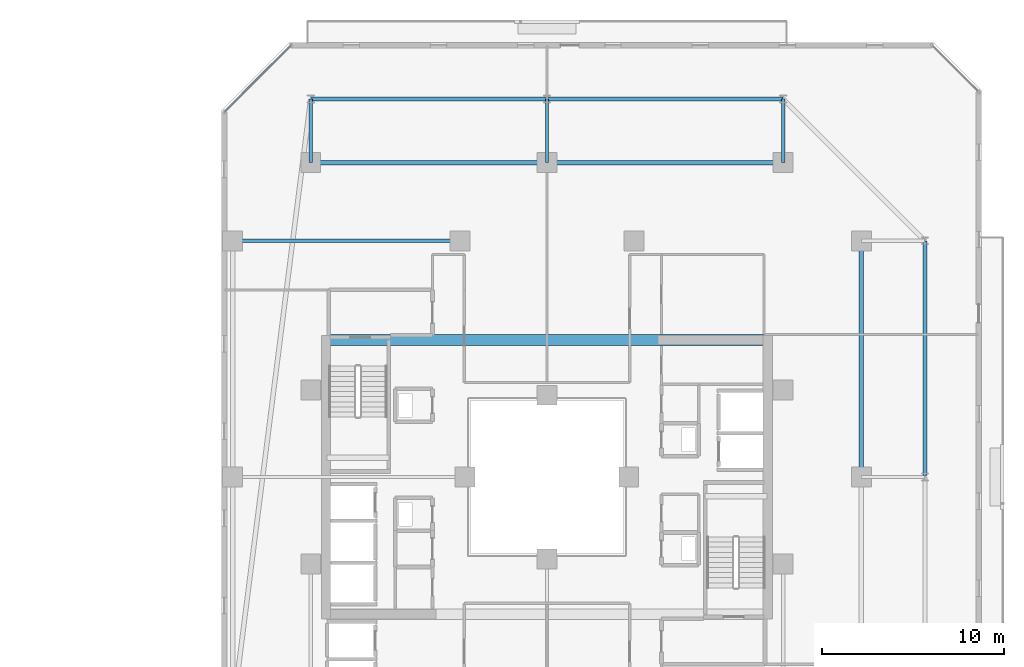
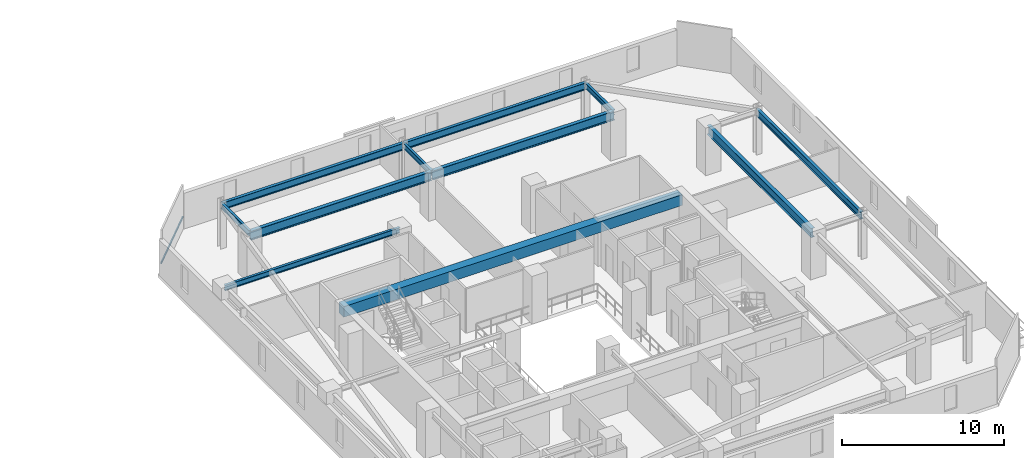
# One storey, part 15 of 32: 11 beams, 1 member, 1 element without a shape of its own.
"""IFC4 building model written with IfcOpenShell, lengths in metres."""

from ifc_helpers import new_model, si_unit, direction, frame, origin, origin_2d, place, context, subcontext, project, spatial, rectangle, hollow_rectangle, i_section, extrude, material, material_profile, profile_set, type_object, element, aggregate, save


model = new_model("IFC4")

# Units and contexts
model_context = context("Model", 3, precision=1e-05, world=origin(), true_north=direction((0.0, 1.0)))
body_context = subcontext(model_context, "Body", "Model", "MODEL_VIEW")
ifc_project = project(units=[si_unit("LENGTHUNIT", "METRE"), si_unit("AREAUNIT", "SQUARE_METRE"), si_unit("VOLUMEUNIT", "CUBIC_METRE"), si_unit("PLANEANGLEUNIT", "RADIAN"), si_unit("MASSUNIT", "GRAM", prefix="KILO")], contexts=[model_context])

# Site, building, storey
site_placement = place(None, origin())
site = spatial("IfcSite", under=ifc_project, at=site_placement, CompositionType="ELEMENT")
building_placement = place(site_placement, origin())
building = spatial("IfcBuilding", under=site, at=building_placement, Name="Thornwick Lancets Civic Towers", CompositionType="ELEMENT")
storey_placement = place(building_placement, frame((0.0, 0.0, 156.300048828125)))
storey = spatial("IfcBuildingStorey", under=building, at=storey_placement, Name="L41", CompositionType="ELEMENT", Elevation=156.300048828125)

# Beams
ifc_material_1 = material(Name="Concrete C60/75", Category="concrete")
ifc_material_profile_1 = material_profile(ifc_material_1, rectangle(XDim=0.60009765625, YDim=0.800048828125, at=origin_2d()), Name="RC 600x800")
ifc_profile_set_1 = profile_set([ifc_material_profile_1], Name="Concrete C60/75")
beam_type_1 = type_object("IfcBeamType", Name="BM_COUP_RC800", PredefinedType="BEAM", material=ifc_profile_set_1)
beam_1_placement = place(storey_placement, frame((76.39990234375, 34.550048828125, 2.9599609375), z_axis=(1.0, 0.0, 0.0), x_axis=(0.0, 1.0, 0.0)))
element("IfcBeam", 1, at=beam_1_placement, inside=storey, type_object=beam_type_1, Name="CB-L41-B1", PredefinedType="BEAM", context=body_context, shape_type="SweptSolid", body=[
    extrude(rectangle(XDim=0.60009765625, YDim=0.800048828125, at=origin_2d()), origin(), (0.0, 0.0, 1.0), 24.2001953125),
])
ifc_material_2 = material(Name="Steel S355JR", Category="steel")
ifc_material_profile_2 = material_profile(ifc_material_2, i_section(OverallWidth=0.210693359375, OverallDepth=0.53955078125, WebThickness=0.01171875, FlangeThickness=0.018798828125, FilletRadius=0.0126953125, at=origin_2d()), Name="UKB 533x210x109")
ifc_profile_set_2 = profile_set([ifc_material_profile_2], Name="Steel S355JR")
beam_type_2 = type_object("IfcBeamType", Name="BM_EDGE_533_109", PredefinedType="SPANDREL", material=ifc_profile_set_2)
beam_2_placement = place(storey_placement, frame((109.300048828125, 27.080078125, 3.09033203125), z_axis=(0.0, 1.0, 0.0), x_axis=(-1.0, 0.0, 0.0)))
element("IfcBeam", 2, at=beam_2_placement, inside=storey, type_object=beam_type_2, Name="BM-EDGE-L41-B-S0-2", PredefinedType="SPANDREL", context=body_context, shape_type="SweptSolid", body=[
    extrude(i_section(OverallWidth=0.210693359375, OverallDepth=0.53955078125, WebThickness=0.01171875, FlangeThickness=0.018798828125, FilletRadius=0.0126953125, at=origin_2d()), origin(), (0.0, 0.0, 1.0), 12.919921875),
])
beam_3_placement = place(storey_placement, frame((101.5, 47.800048828125, 3.09033203125), z_axis=(-1.0, 0.0, 0.0), x_axis=(0.0, -1.0, 0.0)))
element("IfcBeam", 3, at=beam_3_placement, inside=storey, type_object=beam_type_2, Name="BM-EDGE-L41-B-S1-1", PredefinedType="SPANDREL", context=body_context, shape_type="SweptSolid", body=[
    extrude(i_section(OverallWidth=0.210693359375, OverallDepth=0.53955078125, WebThickness=0.01171875, FlangeThickness=0.018798828125, FilletRadius=0.0126953125, at=origin_2d()), origin(), (0.0, 0.0, 1.0), 13.0),
])
beam_4_placement = place(storey_placement, frame((88.419921875, 47.800048828125, 3.09033203125), z_axis=(-1.0, 0.0, 0.0), x_axis=(0.0, -1.0, 0.0)))
element("IfcBeam", 4, at=beam_4_placement, inside=storey, type_object=beam_type_2, Name="BM-EDGE-L41-B-S1-2", PredefinedType="SPANDREL", context=body_context, shape_type="SweptSolid", body=[
    extrude(i_section(OverallWidth=0.210693359375, OverallDepth=0.53955078125, WebThickness=0.01171875, FlangeThickness=0.018798828125, FilletRadius=0.0126953125, at=origin_2d()), origin(), (0.0, 0.0, 1.0), 12.919921875),
])
ifc_material_profile_3 = material_profile(ifc_material_2, i_section(OverallWidth=0.255859375, OverallDepth=0.69287109375, WebThickness=0.014404296875, FlangeThickness=0.023681640625, FilletRadius=0.01513671875, at=origin_2d()), Name="UKB 686x254x170")
ifc_profile_set_3 = profile_set([ifc_material_profile_3], Name="Steel S355JR")
beam_type_3 = type_object("IfcBeamType", Name="BM_GIRD_686_170", PredefinedType="BEAM", material=ifc_profile_set_3)
beam_5_placement = place(storey_placement, frame((105.800048828125, 27.080078125, 3.013427734375), z_axis=(0.0, 1.0, 0.0), x_axis=(-1.0, 0.0, 0.0)))
element("IfcBeam", 5, at=beam_5_placement, inside=storey, type_object=beam_type_3, Name="BM-SPINE-L41-B-1-2", PredefinedType="BEAM", context=body_context, shape_type="SweptSolid", body=[
    extrude(i_section(OverallWidth=0.255859375, OverallDepth=0.69287109375, WebThickness=0.014404296875, FlangeThickness=0.023681640625, FilletRadius=0.01513671875, at=origin_2d()), origin(), (0.0, 0.0, 1.0), 12.919921875),
])
beam_6_placement = place(storey_placement, frame((101.5, 44.300048828125, 3.013427734375), z_axis=(-1.0, 0.0, 0.0), x_axis=(0.0, -1.0, 0.0)))
element("IfcBeam", 6, at=beam_6_placement, inside=storey, type_object=beam_type_3, Name="BM-SPINE-L41-B-3-4", PredefinedType="BEAM", context=body_context, shape_type="SweptSolid", body=[
    extrude(i_section(OverallWidth=0.255859375, OverallDepth=0.69287109375, WebThickness=0.014404296875, FlangeThickness=0.023681640625, FilletRadius=0.01513671875, at=origin_2d()), origin(), (0.0, 0.0, 1.0), 13.0),
])
beam_7_placement = place(storey_placement, frame((88.419921875, 44.300048828125, 3.013427734375), z_axis=(-1.0, 0.0, 0.0), x_axis=(0.0, -1.0, 0.0)))
element("IfcBeam", 7, at=beam_7_placement, inside=storey, type_object=beam_type_3, Name="BM-SPINE-L41-B-4-5", PredefinedType="BEAM", context=body_context, shape_type="SweptSolid", body=[
    extrude(i_section(OverallWidth=0.255859375, OverallDepth=0.69287109375, WebThickness=0.014404296875, FlangeThickness=0.023681640625, FilletRadius=0.01513671875, at=origin_2d()), origin(), (0.0, 0.0, 1.0), 12.919921875),
])
ifc_material_profile_4 = material_profile(ifc_material_2, i_section(OverallWidth=0.179443359375, OverallDepth=0.412841796875, WebThickness=0.009521484375, FlangeThickness=0.01611328125, FilletRadius=0.01025390625, at=origin_2d()), Name="UKB 406x178x74")
ifc_profile_set_4 = profile_set([ifc_material_profile_4], Name="Steel S355JR")
beam_type_4 = type_object("IfcBeamType", Name="BM_JOIST_406_74", PredefinedType="JOIST", material=ifc_profile_set_4)
for number, where, z_axis, x_axis, name in (
    (8, (101.5, 44.300048828125, 3.153564453125), (0.0, 1.0, 0.0), (-1.0, 0.0, 0.0), "BM-RAD-L41-B04"),
    (9, (88.5, 44.300048828125, 3.153564453125), (0.0, 1.0, 0.0), (-1.0, 0.0, 0.0), "BM-RAD-L41-B05"),
    (10, (75.5, 44.300048828125, 3.153564453125), (0.0, 1.0, 0.0), (-1.0, 0.0, 0.0), "BM-RAD-L41-B06"),
):
    element("IfcBeam", number, at=place(storey_placement, frame(where, z_axis=z_axis, x_axis=x_axis)), inside=storey, type_object=beam_type_4, Name=name, PredefinedType="JOIST", context=body_context, shape_type="SweptSolid", body=[
        extrude(i_section(OverallWidth=0.179443359375, OverallDepth=0.412841796875, WebThickness=0.009521484375, FlangeThickness=0.01611328125, FilletRadius=0.01025390625, at=origin_2d()), origin(), (0.0, 0.0, 1.0), 3.5),
    ])
beam_8_placement = place(storey_placement, frame((83.699951171875, 40.0, 3.153564453125), z_axis=(-1.0, 0.0, 0.0), x_axis=(0.0, -1.0, 0.0)))
element("IfcBeam", 11, at=beam_8_placement, inside=storey, type_object=beam_type_4, Name="BM-RADIN-L41-B09", PredefinedType="JOIST", context=body_context, shape_type="SweptSolid", body=[
    extrude(i_section(OverallWidth=0.179443359375, OverallDepth=0.412841796875, WebThickness=0.009521484375, FlangeThickness=0.01611328125, FilletRadius=0.01025390625, at=origin_2d()), origin(), (0.0, 0.0, 1.0), 12.5),
])

# Curtain wall, member
ifc_material_3 = material(Name="Mid-zone chamfered-corner unitised glass curtain wall", Category="glass")
curtain_wall_type = type_object("IfcCurtainWallType", Name="CW_SYS_04", PredefinedType="NOTDEFINED", material=ifc_material_3)
curtain_wall_placement = place(storey_placement, origin())
curtain_wall = element("IfcCurtainWall", 12, at=curtain_wall_placement, inside=storey, type_object=curtain_wall_type, Name="L41 Curtain Wall CW-L41-B-E5", PredefinedType="NOTDEFINED")
ifc_material_4 = material(Name="Thermally broken bronze aluminium S355", Category="steel")
ifc_material_profile_5 = material_profile(ifc_material_4, hollow_rectangle(XDim=0.074951171875, YDim=0.14990234375, WallThickness=0.0048828125, at=origin_2d()), Name="RHS 150x75x5")
ifc_profile_set_5 = profile_set([ifc_material_profile_5], Name="Thermally broken bronze aluminium S355")
member_type = type_object("IfcMemberType", Name="CW_TRN_150", PredefinedType="USERDEFINED", material=ifc_profile_set_5)
member_placement = place(storey_placement, frame((74.408203125, 50.746826171875, 0.849853515625), z_axis=(-0.707106781187, -0.707106781187, 0.0), x_axis=(0.707106781187, -0.707106781187, 0.0)))
member = element("IfcMember", 13, at=member_placement, type_object=member_type, Name="CW-L41-B-E5 Transom 0", ObjectType="TRANSOM", PredefinedType="USERDEFINED", context=body_context, shape_type="SweptSolid", body=[
    extrude(hollow_rectangle(XDim=0.074951171875, YDim=0.14990234375, WallThickness=0.0048828125, at=origin_2d()), origin(), (0.0, 0.0, 1.0), 5.1689453125),
])
aggregate(curtain_wall, [member])

save(model, "model.ifc")
